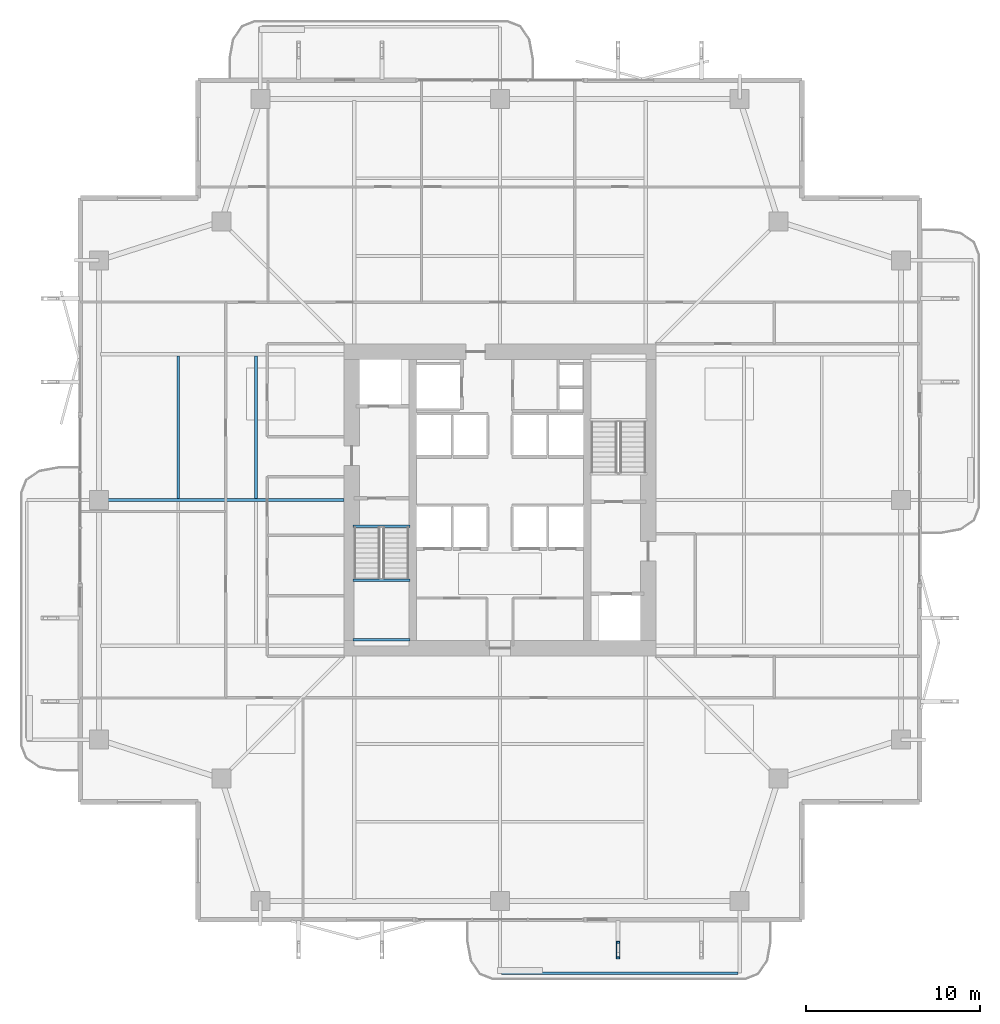
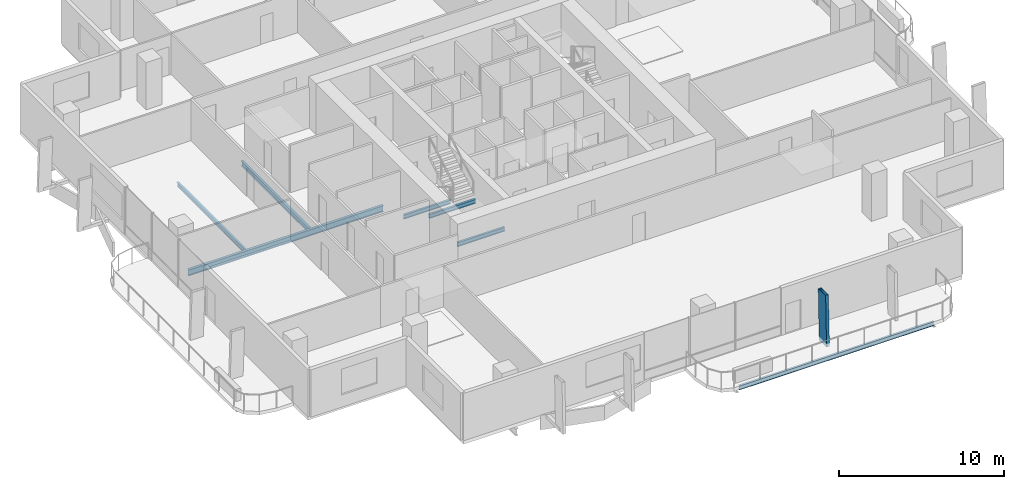
# One storey, part 7 of 24: 7 beams, 1 member.
"""IFC4 building model written with IfcOpenShell, lengths in metres."""

from ifc_helpers import new_model, si_unit, direction, frame, origin, origin_2d, place, context, subcontext, project, spatial, hollow_rectangle, i_section, extrude, material, material_profile, profile_set, type_object, element, save


model = new_model("IFC4")

# Units and contexts
model_context = context("Model", 3, precision=1e-05, world=origin(), true_north=direction((0.0, 1.0)))
body_context = subcontext(model_context, "Body", "Model", "MODEL_VIEW")
ifc_project = project(units=[si_unit("LENGTHUNIT", "METRE"), si_unit("AREAUNIT", "SQUARE_METRE"), si_unit("VOLUMEUNIT", "CUBIC_METRE"), si_unit("PLANEANGLEUNIT", "RADIAN"), si_unit("MASSUNIT", "GRAM", prefix="KILO")], contexts=[model_context])

# Site, building, storey
site_placement = place(None, origin())
site = spatial("IfcSite", under=ifc_project, at=site_placement, CompositionType="ELEMENT")
building_placement = place(site_placement, origin())
building = spatial("IfcBuilding", under=site, at=building_placement, Name="Belovzor Exchange Tower", CompositionType="ELEMENT")
storey_placement = place(building_placement, frame((0.0, 0.0, 145.800048828125)))
storey = spatial("IfcBuildingStorey", under=building, at=storey_placement, Name="L35", CompositionType="ELEMENT", Elevation=145.800048828125)

# Beams
ifc_material_1 = material(Name="Steel S355", Category="steel")
ifc_material_profile_1 = material_profile(ifc_material_1, i_section(OverallWidth=0.14990234375, OverallDepth=0.300048828125, WebThickness=0.007080078125, FlangeThickness=0.0107421875, at=origin_2d()))
ifc_profile_set_1 = profile_set([ifc_material_profile_1], Name="Steel S355")
beam_type_1 = type_object("IfcBeamType", Name="Planted Balcony Fascia Edge Beam IPE 300", PredefinedType="BEAM", material=ifc_profile_set_1)
beam_1_placement = place(storey_placement, frame((28.89990234375, 1.547119140625, -0.405029296875), z_axis=(1.0, 0.0, 0.0), x_axis=(0.0, 1.0, 0.0)))
element("IfcBeam", 1, at=beam_1_placement, inside=storey, type_object=beam_type_1, Name="BC-300 Planted Balcony Fascia Edge Beam IPE 300", PredefinedType="BEAM", context=body_context, shape_type="SweptSolid", body=[
    extrude(i_section(OverallWidth=0.14990234375, OverallDepth=0.300048828125, WebThickness=0.007080078125, FlangeThickness=0.0107421875, at=origin_2d()), origin(), (0.0, 0.0, 1.0), 13.60009765625),
])
ifc_material_2 = material(Name="Steel S355", Category="steel")
ifc_material_profile_2 = material_profile(ifc_material_2, i_section(OverallWidth=0.169921875, OverallDepth=0.360107421875, WebThickness=0.008056640625, FlangeThickness=0.0126953125, at=origin_2d()))
ifc_profile_set_2 = profile_set([ifc_material_profile_2], Name="Steel S355")
beam_type_2 = type_object("IfcBeamType", Name="Secondary Infill Floor Joist IPE 360", PredefinedType="BEAM", material=ifc_profile_set_2)
beam_2_placement = place(storey_placement, frame((14.7509765625, 28.89501953125, -0.43505859375), z_axis=(0.0, 1.0, 0.0), x_axis=(-1.0, 0.0, 0.0)))
element("IfcBeam", 2, at=beam_2_placement, inside=storey, type_object=beam_type_2, Name="FJ-360 Secondary Infill Floor Joist IPE 360", PredefinedType="BEAM", context=body_context, shape_type="SweptSolid", body=[
    extrude(i_section(OverallWidth=0.169921875, OverallDepth=0.360107421875, WebThickness=0.008056640625, FlangeThickness=0.0126953125, at=origin_2d()), origin(), (0.0, 0.0, 1.0), 8.2099609375),
])
ifc_material_3 = material(Name="Steel S355", Category="steel")
ifc_material_profile_3 = material_profile(ifc_material_3, i_section(OverallWidth=0.14990234375, OverallDepth=0.300048828125, WebThickness=0.007080078125, FlangeThickness=0.0107421875, at=origin_2d()))
ifc_profile_set_3 = profile_set([ifc_material_profile_3], Name="Steel S355")
beam_type_3 = type_object("IfcBeamType", Name="Secondary Trim Floor Joist IPE 300", PredefinedType="BEAM", material=ifc_profile_set_3)
for number, where, z_axis, x_axis, name in (
    (3, (20.320068359375, 24.179931640625, 1.52490234375), (1.0, 0.0, 0.0), (0.0, 1.0, 0.0), "FJ-300 Secondary Trim Floor Joist IPE 300"),
    (4, (20.320068359375, 20.75, 1.52490234375), (1.0, 0.0, 0.0), (0.0, 1.0, 0.0), "FJ-300 Secondary Trim Floor Joist IPE 300"),
):
    element("IfcBeam", number, at=place(storey_placement, frame(where, z_axis=z_axis, x_axis=x_axis)), inside=storey, type_object=beam_type_3, Name=name, PredefinedType="BEAM", context=body_context, shape_type="SweptSolid", body=[
        extrude(i_section(OverallWidth=0.14990234375, OverallDepth=0.300048828125, WebThickness=0.007080078125, FlangeThickness=0.0107421875, at=origin_2d()), origin(), (0.0, 0.0, 1.0), 3.309814453125),
    ])
beam_3_placement = place(storey_placement, frame((20.340087890625, 27.280029296875, -0.405029296875), z_axis=(1.0, 0.0, 0.0), x_axis=(0.0, 1.0, 0.0)))
element("IfcBeam", 5, at=beam_3_placement, inside=storey, type_object=beam_type_3, Name="FJ-300 Secondary Trim Floor Joist IPE 300", PredefinedType="BEAM", context=body_context, shape_type="SweptSolid", body=[
    extrude(i_section(OverallWidth=0.14990234375, OverallDepth=0.300048828125, WebThickness=0.007080078125, FlangeThickness=0.0107421875, at=origin_2d()), origin(), (0.0, 0.0, 1.0), 3.27001953125),
])
beam_4_placement = place(storey_placement, frame((10.262939453125, 28.89501953125, -0.405029296875), z_axis=(0.0, 1.0, 0.0), x_axis=(-1.0, 0.0, 0.0)))
element("IfcBeam", 6, at=beam_4_placement, inside=storey, type_object=beam_type_3, Name="FJ-300 Secondary Trim Floor Joist IPE 300", PredefinedType="BEAM", context=body_context, shape_type="SweptSolid", body=[
    extrude(i_section(OverallWidth=0.14990234375, OverallDepth=0.300048828125, WebThickness=0.007080078125, FlangeThickness=0.0107421875, at=origin_2d()), origin(), (0.0, 0.0, 1.0), 8.2099609375),
])

# Member
ifc_material_4 = material(Name="Extruded Architectural Terracotta on Steel S355 Carrier", Category="masonry")
ifc_material_profile_4 = material_profile(ifc_material_4, hollow_rectangle(XDim=0.199951171875, YDim=0.89990234375, WallThickness=0.011962890625, at=origin_2d()))
ifc_profile_set_4 = profile_set([ifc_material_profile_4], Name="Extruded Architectural Terracotta on Steel S355 Carrier")
member_type = type_object("IfcMemberType", Name="Sweeping Terracotta Baguette Fin Assembly 1250", PredefinedType="USERDEFINED", material=ifc_profile_set_4)
member_placement = place(storey_placement, frame((35.60009765625, 2.81689453125, -0.255126953125), z_axis=(0.0, 0.031754810947, 0.999495688826), x_axis=(-1.0, 0.0, 0.0)))
element("IfcMember", 7, at=member_placement, inside=storey, type_object=member_type, Name="FIN-TC125 Terracotta Facade Fin L35 S3", ObjectType="FIN", PredefinedType="USERDEFINED", context=body_context, shape_type="SweptSolid", body=[
    extrude(hollow_rectangle(XDim=0.199951171875, YDim=0.89990234375, WallThickness=0.011962890625, at=origin_2d()), origin(), (0.0, 0.0, 1.0), 3.751953125),
])

# Beam
ifc_material_5 = material(Name="Steel S355", Category="steel")
ifc_material_profile_5 = material_profile(ifc_material_5, i_section(OverallWidth=0.18994140625, OverallDepth=0.449951171875, WebThickness=0.009521484375, FlangeThickness=0.0146484375, at=origin_2d()))
ifc_profile_set_5 = profile_set([ifc_material_profile_5], Name="Steel S355")
beam_type_4 = type_object("IfcBeamType", Name="Zone 2-4 Radial Composite Floor Beam IPE 450", PredefinedType="BEAM", material=ifc_profile_set_5)
beam_5_placement = place(storey_placement, frame((19.800048828125, 28.800048828125, -0.47998046875), z_axis=(-1.0, 0.0, 0.0), x_axis=(0.0, -1.0, 0.0)))
element("IfcBeam", 8, at=beam_5_placement, inside=storey, type_object=beam_type_4, Name="FB-450 Zone 2-4 Radial Composite Floor Beam IPE 450", PredefinedType="BEAM", context=body_context, shape_type="SweptSolid", body=[
    extrude(i_section(OverallWidth=0.18994140625, OverallDepth=0.449951171875, WebThickness=0.009521484375, FlangeThickness=0.0146484375, at=origin_2d()), origin(), (0.0, 0.0, 1.0), 13.615966796875),
])

save(model, "model.ifc")
